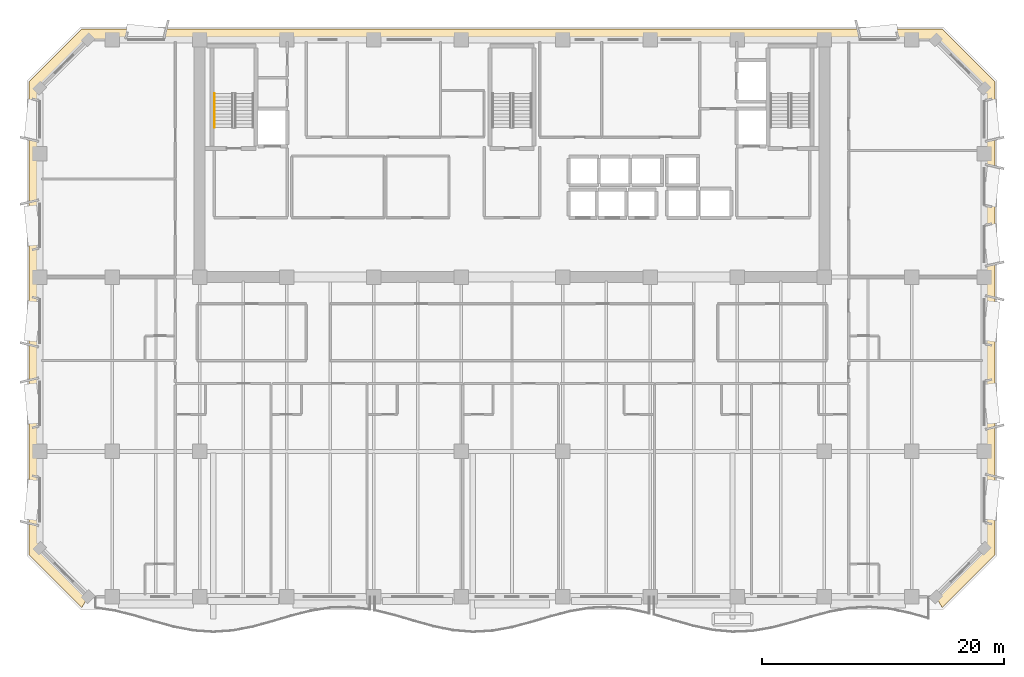
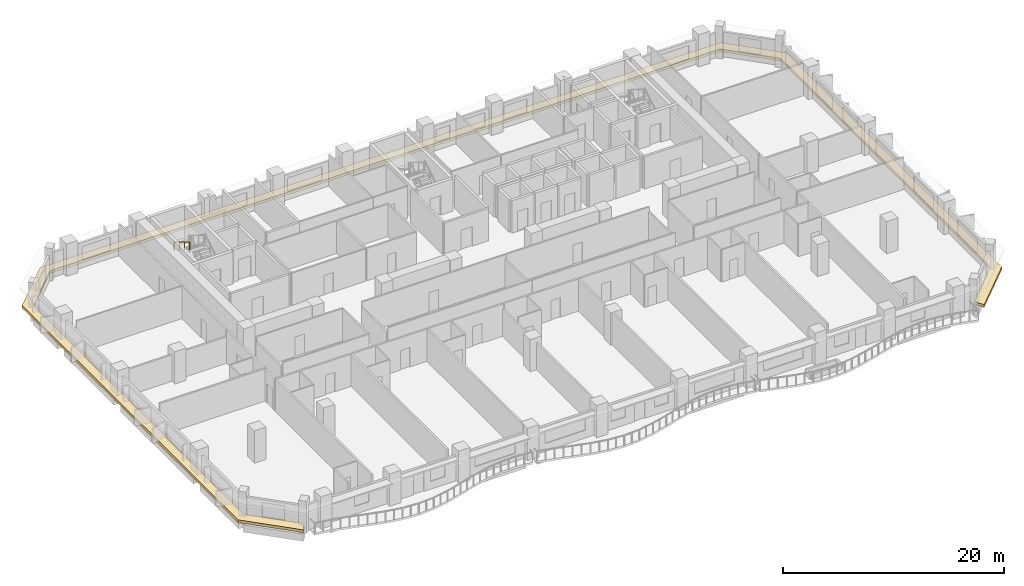
# One storey, part 12 of 15: 1 covering, 1 railing.
"""IFC4 building model written with IfcOpenShell, lengths in metres."""

from ifc_helpers import new_model, si_unit, direction, frame, origin, origin_2d, place, context, subcontext, project, spatial, polyline, rectangle, outline, extrude, material, layer, layer_set, type_object, element, save


model = new_model("IFC4")

# Units and contexts
model_context = context("Model", 3, precision=1e-05, world=origin(), true_north=direction((0.0, 1.0)))
body_context = subcontext(model_context, "Body", "Model", "MODEL_VIEW")
ifc_project = project(units=[si_unit("LENGTHUNIT", "METRE"), si_unit("AREAUNIT", "SQUARE_METRE"), si_unit("VOLUMEUNIT", "CUBIC_METRE"), si_unit("PLANEANGLEUNIT", "RADIAN"), si_unit("MASSUNIT", "GRAM", prefix="KILO")], contexts=[model_context])

# Site, building, storey
site_placement = place(None, origin())
site = spatial("IfcSite", under=ifc_project, at=site_placement, CompositionType="ELEMENT")
building_placement = place(site_placement, origin())
building = spatial("IfcBuilding", under=site, at=building_placement, Name="Kaelvorn Grand Hotel", CompositionType="ELEMENT")
storey_placement = place(building_placement, frame((0.0, 0.0, 173.35009765625)))
storey = spatial("IfcBuildingStorey", under=building, at=storey_placement, Name="L42", CompositionType="ELEMENT", Elevation=173.35009765625)

# Covering
ifc_material_1 = material(Name="Precast concrete C45/55", Category="concrete")
ifc_layer = layer(ifc_material_1, 0.219970703125)
ifc_layer_set = layer_set([ifc_layer], Name="Precast concrete C45/55")
covering_type = type_object("IfcCoveringType", Name="COV-BAND-STREAMLINE-SILL", PredefinedType="CLADDING", material=ifc_layer_set)
covering_placement = place(storey_placement, frame((0.0, 0.0, 0.449951171875)))
element("IfcCovering", 1, at=covering_placement, inside=storey, type_object=covering_type, Name="L42 Streamline Moderne Wraparound Horizontal Sill Spandrel Band", PredefinedType="CLADDING", context=body_context, shape_type="SweptSolid", body=[
    extrude(outline(polyline([(77.515380859375, 2.1201171875), (81.8798828125, 6.484619140625), (81.8798828125, 45.515380859375), (77.515380859375, 49.8798828125), (6.484619140625, 49.8798828125), (2.1201171875, 45.515380859375), (2.1201171875, 6.484619140625), (6.484619140625, 2.1201171875), (7.017578125, 3.030029296875), (3.030029296875, 7.017578125), (3.030029296875, 44.982421875), (7.017578125, 48.969970703125), (76.982421875, 48.969970703125), (80.969970703125, 44.982421875), (80.969970703125, 7.017578125), (76.982421875, 3.030029296875), (77.515380859375, 2.1201171875)])), origin(), (0.0, 0.0, 1.0), 0.300048828125),
])

# Railing
ifc_material_2 = material(Name="Stainless Steel", Category="steel")
railing_type = type_object("IfcRailingType", Name="RL-HANDRAIL-900", PredefinedType="HANDRAIL", material=ifc_material_2)
railing_placement = place(storey_placement, frame((17.449951171875, 44.56005859375, 2.072509765625)))
element("IfcRailing", 2, at=railing_placement, inside=storey, type_object=railing_type, Name="L42 ST1 stair handrail 2", PredefinedType="HANDRAIL", context=body_context, shape_type="SweptSolid", body=[
    extrude(rectangle(XDim=0.048095703125, YDim=0.048095703125, at=origin_2d()), frame((0.0, 0.0, 0.8759765625), z_axis=(0.0, -0.851089632645, 0.525020415988), x_axis=(1.0, 0.0, 0.0)), (0.0, 0.0, 1.0), 3.2900390625),
    extrude(rectangle(XDim=0.0419921875, YDim=0.0419921875, at=origin_2d()), origin(), (0.0, 0.0, 1.0), 0.851806640625),
    extrude(rectangle(XDim=0.0419921875, YDim=0.0419921875, at=origin_2d()), frame((0.0, -0.933349609375, 0.57568359375)), (0.0, 0.0, 1.0), 0.851806640625),
    extrude(rectangle(XDim=0.0419921875, YDim=0.0419921875, at=origin_2d()), frame((0.0, -1.86669921875, 1.151611328125)), (0.0, 0.0, 1.0), 0.851806640625),
    extrude(rectangle(XDim=0.0419921875, YDim=0.0419921875, at=origin_2d()), frame((0.0, -2.800048828125, 1.727294921875)), (0.0, 0.0, 1.0), 0.851806640625),
])

save(model, "model.ifc")
